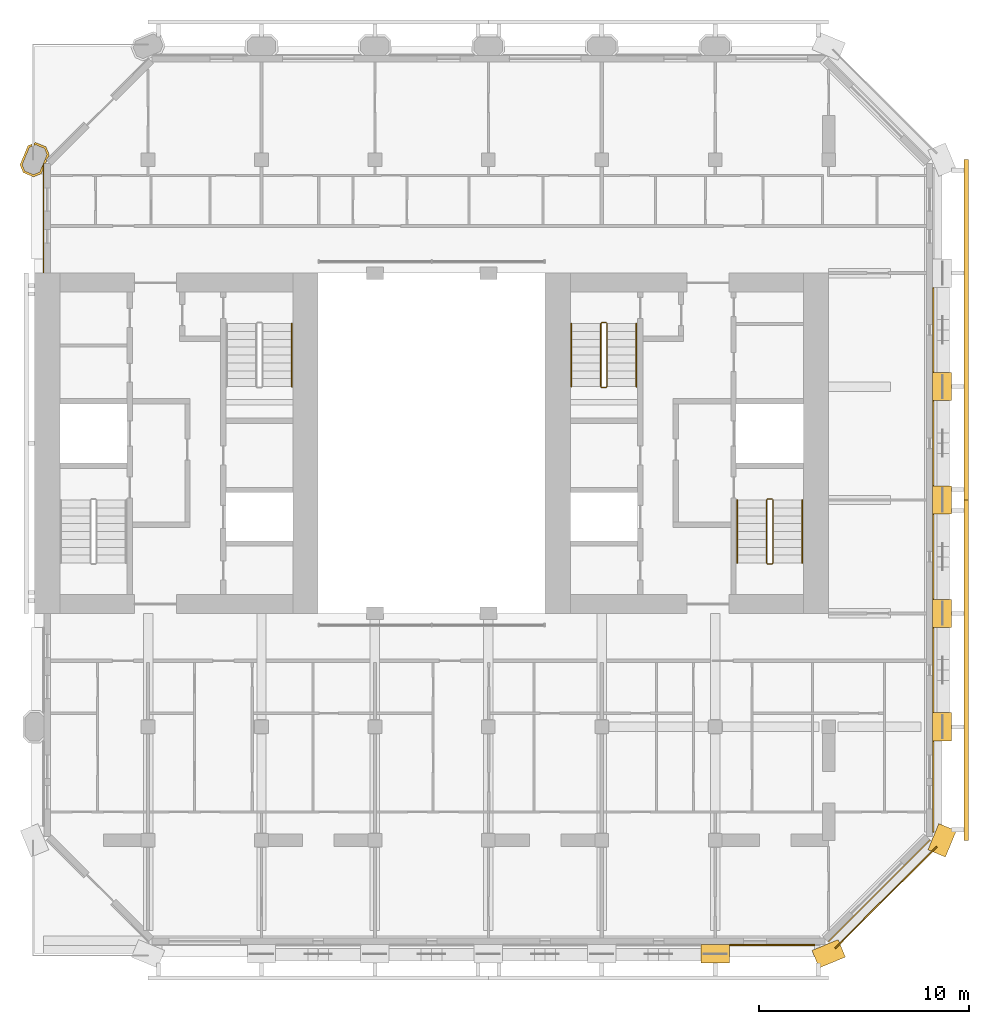
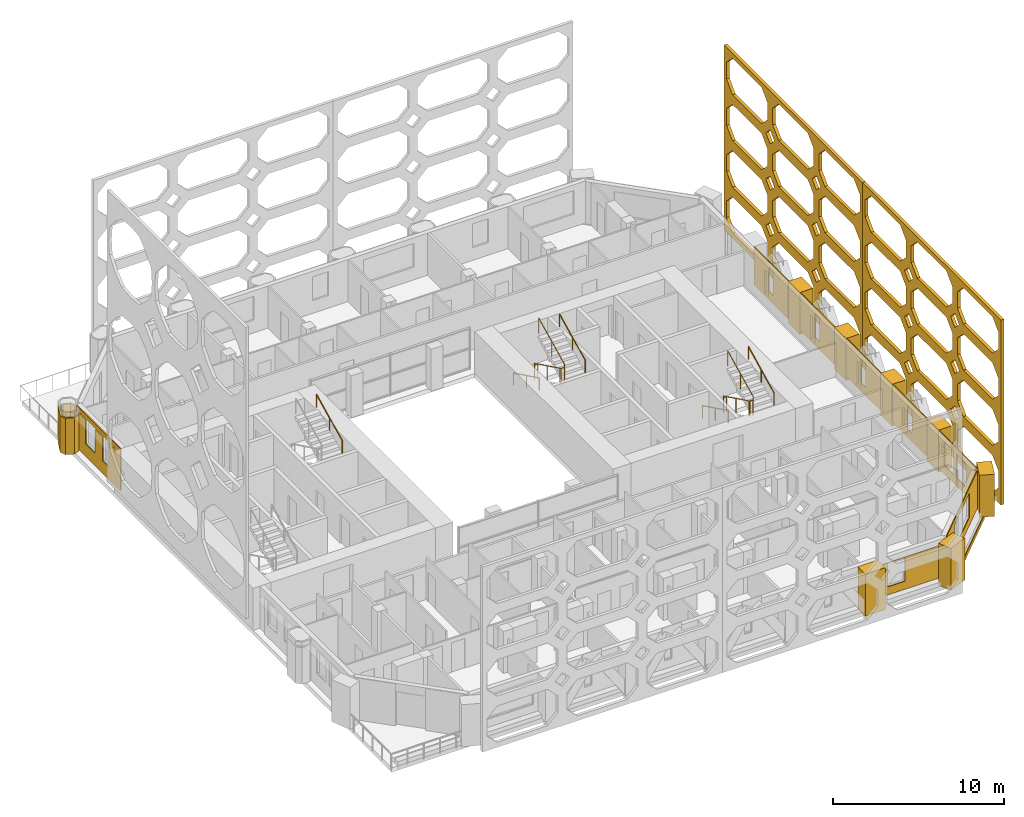
# One storey, part 14 of 15: 19 coverings, 7 railings.
"""IFC4 building model written with IfcOpenShell, lengths in metres."""

from ifc_helpers import new_model, si_unit, direction, frame, frame_2d, origin, origin_2d, place, context, subcontext, project, spatial, polyline, rectangle, circle, outline, extrude, material, layer, layer_set, type_object, element, save


model = new_model("IFC4")

# Units and contexts
model_context = context("Model", 3, precision=1e-05, world=origin(), true_north=direction((0.0, 1.0)))
body_context = subcontext(model_context, "Body", "Model", "MODEL_VIEW")
ifc_project = project(units=[si_unit("LENGTHUNIT", "METRE"), si_unit("AREAUNIT", "SQUARE_METRE"), si_unit("VOLUMEUNIT", "CUBIC_METRE"), si_unit("PLANEANGLEUNIT", "RADIAN"), si_unit("MASSUNIT", "GRAM", prefix="KILO")], contexts=[model_context])

# Site, building, storey
site_placement = place(None, origin())
site = spatial("IfcSite", under=ifc_project, at=site_placement, CompositionType="ELEMENT")
building_placement = place(site_placement, origin())
building = spatial("IfcBuilding", under=site, at=building_placement, Name="Tabaq Tower and Sports Hall", CompositionType="ELEMENT")
storey_placement = place(building_placement, frame((0.0, 0.0, 265.300048828125)))
storey = spatial("IfcBuildingStorey", under=building, at=storey_placement, Name="L64", CompositionType="ELEMENT", Elevation=265.300048828125)

# Coverings
ifc_material_1 = material(Name="Precast concrete C60/75", Category="concrete")
ifc_layer_1 = layer(ifc_material_1, 0.10009765625)
ifc_layer_set_1 = layer_set([ifc_layer_1], Name="Column cladding 100")
covering_type_1 = type_object("IfcCoveringType", Name="Column cladding 100", PredefinedType="CLADDING", material=ifc_layer_set_1)
covering_1_placement = place(storey_placement, origin())
element("IfcCovering", 1, at=covering_1_placement, inside=storey, type_object=covering_type_1, Name="Column cladding L64 PC-2H-R1", PredefinedType="CLADDING", context=body_context, shape_type="SweptSolid", body=[
    extrude(outline(polyline([(4.857421875, 37.186279296875), (4.7041015625, 37.556396484375), (5.080078125, 38.46435546875), (5.27978515625, 38.546875), (5.27978515625, 38.439208984375), (5.15625, 38.38818359375), (4.811767578125, 37.556396484375), (4.93359375, 37.26220703125), (5.349609375, 37.08984375), (5.643798828125, 37.2119140625), (5.98828125, 38.04345703125), (5.866455078125, 38.337646484375), (5.450439453125, 38.510009765625), (5.3603515625, 38.47265625), (5.3603515625, 38.580322265625), (5.450439453125, 38.61767578125), (5.9423828125, 38.413818359375), (6.095947265625, 38.04345703125), (6.026123046875, 37.875), (5.9501953125, 37.799072265625), (5.9501953125, 37.798828125), (5.9814453125, 37.767578125), (5.91796875, 37.614013671875), (5.849609375, 37.614013671875), (5.849609375, 37.55712890625), (5.789794921875, 37.55712890625), (5.789794921875, 37.304443359375), (5.7197265625, 37.1357421875), (5.349609375, 36.982421875), (4.857421875, 37.186279296875)])), origin(), (0.0, 0.0, 1.0), 2.599853515625),
])
ifc_material_2 = material(Name="Precast concrete C60/75", Category="concrete")
ifc_layer_2 = layer(ifc_material_2, 0.06005859375)
ifc_layer_set_2 = layer_set([ifc_layer_2], Name="Edge beam cladding 60")
covering_type_2 = type_object("IfcCoveringType", Name="Edge beam cladding 60", PredefinedType="CLADDING", material=ifc_layer_set_2)
covering_2_placement = place(storey_placement, frame((43.505615234375, 0.26318359375, -0.300048828125), z_axis=(0.0, 0.0, 1.0), x_axis=(0.707106781187, 0.707106781187, 0.0)))
element("IfcCovering", 2, at=covering_2_placement, inside=storey, type_object=covering_type_2, Name="Edge beam cladding L64 3", PredefinedType="CLADDING", context=body_context, shape_type="SweptSolid", body=[
    extrude(rectangle(XDim=6.83251953125, YDim=0.06005859375, at=frame_2d((3.416259765625, 0.0))), origin(), (0.0, 0.0, 1.0), 0.300048828125),
])
ifc_material_3 = material(Name="White precast concrete C60/75", Category="concrete")
covering_type_3 = type_object("IfcCoveringType", Name="Pier cladding hung 1350x900", PredefinedType="CLADDING", material=ifc_material_3)
for number, where, z_axis, x_axis, name in (
    (3, (37.125, 0.0, 0.0), (0.0, 0.0, 1.0), (1.0, 0.0, 0.0), "Hung pier cladding 7/0"),
    (4, (42.576416015625, -0.25830078125, 0.0), (0.0, 0.0, 1.0), (0.923893411637, 0.382649923473, 0.0), "Hung pier cladding 8/0"),
    (5, (48.341796875, 4.7763671875, 0.0), (0.0, 0.0, 1.0), (0.382649923473, 0.923893411637, 0.0), "Hung pier cladding 9/1"),
    (6, (48.60009765625, 10.125, 0.0), (0.0, 0.0, 1.0), (0.0, 1.0, 0.0), "Hung pier cladding 9/2"),
    (7, (48.60009765625, 15.52490234375, 0.0), (0.0, 0.0, 1.0), (0.0, 1.0, 0.0), "Hung pier cladding 9/3"),
):
    element("IfcCovering", number, at=place(storey_placement, frame(where, z_axis=z_axis, x_axis=x_axis)), inside=storey, type_object=covering_type_3, Name=name, PredefinedType="CLADDING", context=body_context, shape_type="SweptSolid", body=[
        extrude(rectangle(XDim=1.35009765625, YDim=0.89990234375, at=frame_2d((0.675048828125, 0.0))), origin(), (0.0, 0.0, 1.0), 3.0),
    ])
covering_3_placement = place(storey_placement, frame((48.60009765625, 20.925048828125, 0.0), z_axis=(0.0, 0.0, 1.0), x_axis=(0.0, 1.0, 0.0)))
element("IfcCovering", 8, at=covering_3_placement, inside=storey, type_object=covering_type_3, Name="Hung pier cladding 9/4", PredefinedType="CLADDING", context=body_context, shape_type="SweptSolid", body=[
    extrude(rectangle(XDim=1.349853515625, YDim=0.89990234375, at=frame_2d((0.6748046875, 0.0))), origin(), (0.0, 0.0, 1.0), 3.0),
])
covering_4_placement = place(storey_placement, frame((48.60009765625, 26.324951171875, 0.0), z_axis=(0.0, 0.0, 1.0), x_axis=(0.0, 1.0, 0.0)))
element("IfcCovering", 9, at=covering_4_placement, inside=storey, type_object=covering_type_3, Name="Hung pier cladding 9/5", PredefinedType="CLADDING", context=body_context, shape_type="SweptSolid", body=[
    extrude(rectangle(XDim=1.35009765625, YDim=0.89990234375, at=frame_2d((0.675048828125, 0.0))), origin(), (0.0, 0.0, 1.0), 3.0),
])

# Railings
ifc_material_4 = material(Name="Stainless steel", Category="steel")
railing_type_1 = type_object("IfcRailingType", Name="Stair guard", PredefinedType="GUARDRAIL", material=ifc_material_4)
railing_1_placement = place(storey_placement, frame((40.5, 21.64990234375, 0.0)))
element("IfcRailing", 10, at=railing_1_placement, inside=storey, type_object=railing_type_1, Name="L64 ST3 stair guard 1", PredefinedType="GUARDRAIL", context=body_context, shape_type="SweptSolid", body=[
    extrude(circle(Radius=0.02392578125, at=origin_2d()), frame((0.0, 0.0, 1.076171875), z_axis=(-1.0, 0.0, 0.0), x_axis=(0.0, -1.0, 0.0)), (0.0, 0.0, 1.0), 0.199951171875),
    extrude(circle(Radius=0.02392578125, at=origin_2d()), frame((-0.199951171875, 0.0, 1.076171875), z_axis=(-0.254733673405, -0.25349107012, 0.933195066962), x_axis=(0.705375805398, -0.708833529934, 0.0)), (0.0, 0.0, 1.0), 0.196533203125),
    extrude(circle(Radius=0.02392578125, at=origin_2d()), frame((-0.25, -0.0498046875, 1.25927734375), z_axis=(0.0, -0.898397823093, 0.439182594671), x_axis=(1.0, 0.0, 0.0)), (0.0, 0.0, 1.0), 3.33935546875),
    extrude(circle(Radius=0.02392578125, at=origin_2d()), frame((-0.25, -3.0498046875, 2.72607421875), z_axis=(0.707106781187, -0.707106781187, 0.0), x_axis=(0.707106781187, 0.707106781187, 0.0)), (0.0, 0.0, 1.0), 0.07080078125),
    extrude(circle(Radius=0.02392578125, at=origin_2d()), frame((-0.199951171875, -3.099853515625, 2.72607421875), z_axis=(1.0, 0.0, 0.0), x_axis=(0.0, 1.0, 0.0)), (0.0, 0.0, 1.0), 0.199951171875),
    extrude(circle(Radius=0.02392578125, at=origin_2d()), frame((0.0, -3.099853515625, 2.72607421875), z_axis=(0.254653276557, 0.254653276557, 0.932900539971), x_axis=(-0.707106781187, 0.707106781187, 0.0)), (0.0, 0.0, 1.0), 0.196533203125),
    extrude(circle(Radius=0.02392578125, at=origin_2d()), frame((0.050048828125, -3.0498046875, 2.9091796875), z_axis=(0.0, 0.898368975038, 0.439241601728), x_axis=(-1.0, 0.0, 0.0)), (0.0, 0.0, 1.0), 3.33935546875),
    extrude(circle(Radius=0.02099609375, at=origin_2d()), origin(), (0.0, 0.0, 1.0), 1.052001953125),
    extrude(circle(Radius=0.02099609375, at=origin_2d()), frame((-0.199951171875, 0.0, 0.0)), (0.0, 0.0, 1.0), 1.052001953125),
    extrude(circle(Radius=0.02099609375, at=origin_2d()), frame((-0.25, -0.0498046875, 0.183349609375)), (0.0, 0.0, 1.0), 1.052001953125),
    extrude(circle(Radius=0.02099609375, at=origin_2d()), frame((-0.25, -1.5498046875, 0.91650390625)), (0.0, 0.0, 1.0), 1.052001953125),
    extrude(circle(Radius=0.02099609375, at=origin_2d()), frame((-0.25, -3.0498046875, 1.64990234375)), (0.0, 0.0, 1.0), 1.052001953125),
    extrude(circle(Radius=0.02099609375, at=origin_2d()), frame((-0.199951171875, -3.099853515625, 1.64990234375)), (0.0, 0.0, 1.0), 1.052001953125),
    extrude(circle(Radius=0.02099609375, at=origin_2d()), frame((0.0, -3.099853515625, 1.64990234375)), (0.0, 0.0, 1.0), 1.052001953125),
    extrude(circle(Radius=0.02099609375, at=origin_2d()), frame((0.050048828125, -3.0498046875, 1.833251953125)), (0.0, 0.0, 1.0), 1.052001953125),
    extrude(circle(Radius=0.02099609375, at=origin_2d()), frame((0.050048828125, -1.5498046875, 2.566650390625)), (0.0, 0.0, 1.0), 1.052001953125),
    extrude(circle(Radius=0.02099609375, at=origin_2d()), frame((0.050048828125, -0.0498046875, 3.300048828125)), (0.0, 0.0, 1.0), 1.052001953125),
])
railing_2_placement = place(storey_placement, frame((32.60009765625, 30.050048828125, 0.0)))
element("IfcRailing", 11, at=railing_2_placement, inside=storey, type_object=railing_type_1, Name="L64 ST4 stair guard 1", PredefinedType="GUARDRAIL", context=body_context, shape_type="SweptSolid", body=[
    extrude(circle(Radius=0.02392578125, at=origin_2d()), frame((0.0, 0.0, 1.076171875), z_axis=(-1.0, 0.0, 0.0), x_axis=(0.0, -1.0, 0.0)), (0.0, 0.0, 1.0), 0.2001953125),
    extrude(circle(Radius=0.02392578125, at=origin_2d()), frame((-0.2001953125, 0.0, 1.076171875), z_axis=(-0.25349107012, -0.254733673405, 0.933195066962), x_axis=(0.708833529934, -0.705375805398, 0.0)), (0.0, 0.0, 1.0), 0.196533203125),
    extrude(circle(Radius=0.02392578125, at=origin_2d()), frame((-0.25, -0.050048828125, 1.25927734375), z_axis=(0.0, -0.898397823093, 0.439182594671), x_axis=(1.0, 0.0, 0.0)), (0.0, 0.0, 1.0), 3.33935546875),
    extrude(circle(Radius=0.02392578125, at=origin_2d()), frame((-0.25, -3.050048828125, 2.72607421875), z_axis=(0.705375805398, -0.708833529934, 0.0), x_axis=(0.708833529934, 0.705375805398, 0.0)), (0.0, 0.0, 1.0), 0.070556640625),
    extrude(circle(Radius=0.02392578125, at=origin_2d()), frame((-0.2001953125, -3.10009765625, 2.72607421875), z_axis=(1.0, 0.0, 0.0), x_axis=(0.0, 1.0, 0.0)), (0.0, 0.0, 1.0), 0.2001953125),
    extrude(circle(Radius=0.02392578125, at=origin_2d()), frame((0.0, -3.10009765625, 2.72607421875), z_axis=(0.25349107012, 0.254733673405, 0.933195066962), x_axis=(-0.708833529934, 0.705375805398, 0.0)), (0.0, 0.0, 1.0), 0.196533203125),
    extrude(circle(Radius=0.02392578125, at=origin_2d()), frame((0.0498046875, -3.050048828125, 2.9091796875), z_axis=(0.0, 0.898368975038, 0.439241601728), x_axis=(-1.0, 0.0, 0.0)), (0.0, 0.0, 1.0), 3.33935546875),
    extrude(circle(Radius=0.02099609375, at=origin_2d()), origin(), (0.0, 0.0, 1.0), 1.052001953125),
    extrude(circle(Radius=0.02099609375, at=origin_2d()), frame((-0.2001953125, 0.0, 0.0)), (0.0, 0.0, 1.0), 1.052001953125),
    extrude(circle(Radius=0.02099609375, at=origin_2d()), frame((-0.25, -0.050048828125, 0.183349609375)), (0.0, 0.0, 1.0), 1.052001953125),
    extrude(circle(Radius=0.02099609375, at=origin_2d()), frame((-0.25, -1.550048828125, 0.91650390625)), (0.0, 0.0, 1.0), 1.052001953125),
    extrude(circle(Radius=0.02099609375, at=origin_2d()), frame((-0.25, -3.050048828125, 1.64990234375)), (0.0, 0.0, 1.0), 1.052001953125),
    extrude(circle(Radius=0.02099609375, at=origin_2d()), frame((-0.2001953125, -3.10009765625, 1.64990234375)), (0.0, 0.0, 1.0), 1.052001953125),
    extrude(circle(Radius=0.02099609375, at=origin_2d()), frame((0.0, -3.10009765625, 1.64990234375)), (0.0, 0.0, 1.0), 1.052001953125),
    extrude(circle(Radius=0.02099609375, at=origin_2d()), frame((0.0498046875, -3.050048828125, 1.833251953125)), (0.0, 0.0, 1.0), 1.052001953125),
    extrude(circle(Radius=0.02099609375, at=origin_2d()), frame((0.0498046875, -1.550048828125, 2.566650390625)), (0.0, 0.0, 1.0), 1.052001953125),
    extrude(circle(Radius=0.02099609375, at=origin_2d()), frame((0.0498046875, -0.050048828125, 3.300048828125)), (0.0, 0.0, 1.0), 1.052001953125),
])
ifc_material_5 = material(Name="Stainless steel", Category="steel")
railing_type_2 = type_object("IfcRailingType", Name="Stair handrail", PredefinedType="HANDRAIL", material=ifc_material_5)
railing_3_placement = place(storey_placement, frame((17.64990234375, 27.0, 1.833251953125)))
element("IfcRailing", 12, at=railing_3_placement, inside=storey, type_object=railing_type_2, Name="L64 ST2 stair handrail 2", PredefinedType="HANDRAIL", context=body_context, shape_type="SweptSolid", body=[
    extrude(circle(Radius=0.02392578125, at=origin_2d()), frame((0.0, 0.0, 0.8759765625), z_axis=(0.0, 0.898368975038, 0.439241601728), x_axis=(-1.0, 0.0, 0.0)), (0.0, 0.0, 1.0), 3.33935546875),
    extrude(circle(Radius=0.02099609375, at=origin_2d()), origin(), (0.0, 0.0, 1.0), 0.851806640625),
    extrude(circle(Radius=0.02099609375, at=origin_2d()), frame((0.0, 1.5, 0.7333984375)), (0.0, 0.0, 1.0), 0.851806640625),
    extrude(circle(Radius=0.02099609375, at=origin_2d()), frame((0.0, 3.0, 1.466796875)), (0.0, 0.0, 1.0), 0.851806640625),
])
railing_4_placement = place(storey_placement, frame((38.85009765625, 21.60009765625, 0.183349609375)))
element("IfcRailing", 13, at=railing_4_placement, inside=storey, type_object=railing_type_2, Name="L64 ST3 stair handrail 1", PredefinedType="HANDRAIL", context=body_context, shape_type="SweptSolid", body=[
    extrude(circle(Radius=0.02392578125, at=origin_2d()), frame((0.0, 0.0, 0.8759765625), z_axis=(0.0, -0.898397823093, 0.439182594671), x_axis=(1.0, 0.0, 0.0)), (0.0, 0.0, 1.0), 3.33935546875),
    extrude(circle(Radius=0.02099609375, at=origin_2d()), origin(), (0.0, 0.0, 1.0), 0.851806640625),
    extrude(circle(Radius=0.02099609375, at=origin_2d()), frame((0.0, -1.5, 0.7333984375)), (0.0, 0.0, 1.0), 0.851806640625),
    extrude(circle(Radius=0.02099609375, at=origin_2d()), frame((0.0, -3.0, 1.466552734375)), (0.0, 0.0, 1.0), 0.851806640625),
])
railing_5_placement = place(storey_placement, frame((41.949951171875, 18.60009765625, 1.833251953125)))
element("IfcRailing", 14, at=railing_5_placement, inside=storey, type_object=railing_type_2, Name="L64 ST3 stair handrail 2", PredefinedType="HANDRAIL", context=body_context, shape_type="SweptSolid", body=[
    extrude(circle(Radius=0.02392578125, at=origin_2d()), frame((0.0, 0.0, 0.8759765625), z_axis=(0.0, 0.898368975038, 0.439241601728), x_axis=(-1.0, 0.0, 0.0)), (0.0, 0.0, 1.0), 3.33935546875),
    extrude(circle(Radius=0.02099609375, at=origin_2d()), origin(), (0.0, 0.0, 1.0), 0.851806640625),
    extrude(circle(Radius=0.02099609375, at=origin_2d()), frame((0.0, 1.5, 0.7333984375)), (0.0, 0.0, 1.0), 0.851806640625),
    extrude(circle(Radius=0.02099609375, at=origin_2d()), frame((0.0, 3.0, 1.466796875)), (0.0, 0.0, 1.0), 0.851806640625),
])
railing_6_placement = place(storey_placement, frame((30.949951171875, 30.0, 0.183349609375)))
element("IfcRailing", 15, at=railing_6_placement, inside=storey, type_object=railing_type_2, Name="L64 ST4 stair handrail 1", PredefinedType="HANDRAIL", context=body_context, shape_type="SweptSolid", body=[
    extrude(circle(Radius=0.02392578125, at=origin_2d()), frame((0.0, 0.0, 0.8759765625), z_axis=(0.0, -0.898397823093, 0.439182594671), x_axis=(1.0, 0.0, 0.0)), (0.0, 0.0, 1.0), 3.33935546875),
    extrude(circle(Radius=0.02099609375, at=origin_2d()), origin(), (0.0, 0.0, 1.0), 0.851806640625),
    extrude(circle(Radius=0.02099609375, at=origin_2d()), frame((0.0, -1.5, 0.7333984375)), (0.0, 0.0, 1.0), 0.851806640625),
    extrude(circle(Radius=0.02099609375, at=origin_2d()), frame((0.0, -3.0, 1.466552734375)), (0.0, 0.0, 1.0), 0.851806640625),
])
railing_7_placement = place(storey_placement, frame((34.050048828125, 27.0, 1.833251953125)))
element("IfcRailing", 16, at=railing_7_placement, inside=storey, type_object=railing_type_2, Name="L64 ST4 stair handrail 2", PredefinedType="HANDRAIL", context=body_context, shape_type="SweptSolid", body=[
    extrude(circle(Radius=0.02392578125, at=origin_2d()), frame((0.0, 0.0, 0.8759765625), z_axis=(0.0, 0.898368975038, 0.439241601728), x_axis=(-1.0, 0.0, 0.0)), (0.0, 0.0, 1.0), 3.33935546875),
    extrude(circle(Radius=0.02099609375, at=origin_2d()), origin(), (0.0, 0.0, 1.0), 0.851806640625),
    extrude(circle(Radius=0.02099609375, at=origin_2d()), frame((0.0, 1.5, 0.7333984375)), (0.0, 0.0, 1.0), 0.851806640625),
    extrude(circle(Radius=0.02099609375, at=origin_2d()), frame((0.0, 3.0, 1.466796875)), (0.0, 0.0, 1.0), 0.851806640625),
])

# Coverings
ifc_material_6 = material(Name="White precast concrete C60/75 pierced screen", Category="concrete")
ifc_layer_3 = layer(ifc_material_6, 0.199951171875)
ifc_layer_set_3 = layer_set([ifc_layer_3], Name="TRACERY SCREEN 200 C60/75")
covering_type_4 = type_object("IfcCoveringType", Name="TRACERY SCREEN 200 C60/75", PredefinedType="CLADDING", material=ifc_layer_set_3)
covering_5_placement = place(storey_placement, frame((49.75, 5.39990234375, 0.0), z_axis=(0.0, 0.0, 1.0), x_axis=(0.0, 1.0, 0.0)))
element("IfcCovering", 17, at=covering_5_placement, inside=storey, type_object=covering_type_4, Name="Tracery screen R1 E L64-L67", PredefinedType="CLADDING", context=body_context, shape_type="SweptSolid", body=[
    extrude(outline(polyline([(0.0, 0.0), (16.2001953125, 0.0), (16.2001953125, 13.199951171875), (0.0, 13.199951171875), (0.0, 0.0)]), holes=[polyline([(1.0, 0.349853515625), (4.39990234375, 0.349853515625), (5.10009765625, 1.050048828125), (5.10009765625, 2.25), (4.39990234375, 2.949951171875), (1.0, 2.949951171875), (0.300048828125, 2.25), (0.300048828125, 1.050048828125), (1.0, 0.349853515625)]), polyline([(6.39990234375, 0.349853515625), (9.800048828125, 0.349853515625), (10.5, 1.050048828125), (10.5, 2.25), (9.800048828125, 2.949951171875), (6.39990234375, 2.949951171875), (5.699951171875, 2.25), (5.699951171875, 1.050048828125), (6.39990234375, 0.349853515625)]), polyline([(11.800048828125, 0.349853515625), (15.199951171875, 0.349853515625), (15.89990234375, 1.050048828125), (15.89990234375, 2.25), (15.199951171875, 2.949951171875), (11.800048828125, 2.949951171875), (11.10009765625, 2.25), (11.10009765625, 1.050048828125), (11.800048828125, 0.349853515625)]), polyline([(1.0, 3.64990234375), (4.39990234375, 3.64990234375), (5.10009765625, 4.349853515625), (5.10009765625, 5.550048828125), (4.39990234375, 6.25), (1.0, 6.25), (0.300048828125, 5.550048828125), (0.300048828125, 4.349853515625), (1.0, 3.64990234375)]), polyline([(6.39990234375, 3.64990234375), (9.800048828125, 3.64990234375), (10.5, 4.349853515625), (10.5, 5.550048828125), (9.800048828125, 6.25), (6.39990234375, 6.25), (5.699951171875, 5.550048828125), (5.699951171875, 4.349853515625), (6.39990234375, 3.64990234375)]), polyline([(11.800048828125, 3.64990234375), (15.199951171875, 3.64990234375), (15.89990234375, 4.349853515625), (15.89990234375, 5.550048828125), (15.199951171875, 6.25), (11.800048828125, 6.25), (11.10009765625, 5.550048828125), (11.10009765625, 4.349853515625), (11.800048828125, 3.64990234375)]), polyline([(1.0, 6.949951171875), (4.39990234375, 6.949951171875), (5.10009765625, 7.64990234375), (5.10009765625, 8.849853515625), (4.39990234375, 9.550048828125), (1.0, 9.550048828125), (0.300048828125, 8.849853515625), (0.300048828125, 7.64990234375), (1.0, 6.949951171875)]), polyline([(6.39990234375, 6.949951171875), (9.800048828125, 6.949951171875), (10.5, 7.64990234375), (10.5, 8.849853515625), (9.800048828125, 9.550048828125), (6.39990234375, 9.550048828125), (5.699951171875, 8.849853515625), (5.699951171875, 7.64990234375), (6.39990234375, 6.949951171875)]), polyline([(11.800048828125, 6.949951171875), (15.199951171875, 6.949951171875), (15.89990234375, 7.64990234375), (15.89990234375, 8.849853515625), (15.199951171875, 9.550048828125), (11.800048828125, 9.550048828125), (11.10009765625, 8.849853515625), (11.10009765625, 7.64990234375), (11.800048828125, 6.949951171875)]), polyline([(1.0, 10.25), (4.39990234375, 10.25), (5.10009765625, 10.949951171875), (5.10009765625, 12.14990234375), (4.39990234375, 12.849853515625), (1.0, 12.849853515625), (0.300048828125, 12.14990234375), (0.300048828125, 10.949951171875), (1.0, 10.25)]), polyline([(6.39990234375, 10.25), (9.800048828125, 10.25), (10.5, 10.949951171875), (10.5, 12.14990234375), (9.800048828125, 12.849853515625), (6.39990234375, 12.849853515625), (5.699951171875, 12.14990234375), (5.699951171875, 10.949951171875), (6.39990234375, 10.25)]), polyline([(11.800048828125, 10.25), (15.199951171875, 10.25), (15.89990234375, 10.949951171875), (15.89990234375, 12.14990234375), (15.199951171875, 12.849853515625), (11.800048828125, 12.849853515625), (11.10009765625, 12.14990234375), (11.10009765625, 10.949951171875), (11.800048828125, 10.25)]), polyline([(5.89990234375, 3.300048828125), (5.39990234375, 3.800048828125), (4.89990234375, 3.300048828125), (5.39990234375, 2.800048828125), (5.89990234375, 3.300048828125)]), polyline([(11.300048828125, 3.300048828125), (10.800048828125, 3.800048828125), (10.300048828125, 3.300048828125), (10.800048828125, 2.800048828125), (11.300048828125, 3.300048828125)]), polyline([(5.89990234375, 6.599853515625), (5.39990234375, 7.099853515625), (4.89990234375, 6.599853515625), (5.39990234375, 6.099853515625), (5.89990234375, 6.599853515625)]), polyline([(11.300048828125, 6.599853515625), (10.800048828125, 7.099853515625), (10.300048828125, 6.599853515625), (10.800048828125, 6.099853515625), (11.300048828125, 6.599853515625)]), polyline([(5.89990234375, 9.89990234375), (5.39990234375, 10.39990234375), (4.89990234375, 9.89990234375), (5.39990234375, 9.39990234375), (5.89990234375, 9.89990234375)]), polyline([(11.300048828125, 9.89990234375), (10.800048828125, 10.39990234375), (10.300048828125, 9.89990234375), (10.800048828125, 9.39990234375), (11.300048828125, 9.89990234375)])]), frame((0.0, 0.10009765625, 0.0), z_axis=(0.0, -1.0, 0.0), x_axis=(1.0, 0.0, 0.0)), (0.0, 0.0, 1.0), 0.199951171875),
])
covering_6_placement = place(storey_placement, frame((49.75, 21.60009765625, 0.0), z_axis=(0.0, 0.0, 1.0), x_axis=(0.0, 1.0, 0.0)))
element("IfcCovering", 18, at=covering_6_placement, inside=storey, type_object=covering_type_4, Name="Tracery screen R1 E L64-L67", PredefinedType="CLADDING", context=body_context, shape_type="SweptSolid", body=[
    extrude(outline(polyline([(0.0, 0.0), (16.199951171875, 0.0), (16.199951171875, 13.199951171875), (0.0, 13.199951171875), (0.0, 0.0)]), holes=[polyline([(1.0, 0.349853515625), (4.39990234375, 0.349853515625), (5.10009765625, 1.050048828125), (5.10009765625, 2.25), (4.39990234375, 2.949951171875), (1.0, 2.949951171875), (0.300048828125, 2.25), (0.300048828125, 1.050048828125), (1.0, 0.349853515625)]), polyline([(6.39990234375, 0.349853515625), (9.800048828125, 0.349853515625), (10.5, 1.050048828125), (10.5, 2.25), (9.800048828125, 2.949951171875), (6.39990234375, 2.949951171875), (5.699951171875, 2.25), (5.699951171875, 1.050048828125), (6.39990234375, 0.349853515625)]), polyline([(11.800048828125, 0.349853515625), (15.199951171875, 0.349853515625), (15.89990234375, 1.050048828125), (15.89990234375, 2.25), (15.199951171875, 2.949951171875), (11.800048828125, 2.949951171875), (11.10009765625, 2.25), (11.10009765625, 1.050048828125), (11.800048828125, 0.349853515625)]), polyline([(1.0, 3.64990234375), (4.39990234375, 3.64990234375), (5.10009765625, 4.349853515625), (5.10009765625, 5.550048828125), (4.39990234375, 6.25), (1.0, 6.25), (0.300048828125, 5.550048828125), (0.300048828125, 4.349853515625), (1.0, 3.64990234375)]), polyline([(6.39990234375, 3.64990234375), (9.800048828125, 3.64990234375), (10.5, 4.349853515625), (10.5, 5.550048828125), (9.800048828125, 6.25), (6.39990234375, 6.25), (5.699951171875, 5.550048828125), (5.699951171875, 4.349853515625), (6.39990234375, 3.64990234375)]), polyline([(11.800048828125, 3.64990234375), (15.199951171875, 3.64990234375), (15.89990234375, 4.349853515625), (15.89990234375, 5.550048828125), (15.199951171875, 6.25), (11.800048828125, 6.25), (11.10009765625, 5.550048828125), (11.10009765625, 4.349853515625), (11.800048828125, 3.64990234375)]), polyline([(1.0, 6.949951171875), (4.39990234375, 6.949951171875), (5.10009765625, 7.64990234375), (5.10009765625, 8.849853515625), (4.39990234375, 9.550048828125), (1.0, 9.550048828125), (0.300048828125, 8.849853515625), (0.300048828125, 7.64990234375), (1.0, 6.949951171875)]), polyline([(6.39990234375, 6.949951171875), (9.800048828125, 6.949951171875), (10.5, 7.64990234375), (10.5, 8.849853515625), (9.800048828125, 9.550048828125), (6.39990234375, 9.550048828125), (5.699951171875, 8.849853515625), (5.699951171875, 7.64990234375), (6.39990234375, 6.949951171875)]), polyline([(11.800048828125, 6.949951171875), (15.199951171875, 6.949951171875), (15.89990234375, 7.64990234375), (15.89990234375, 8.849853515625), (15.199951171875, 9.550048828125), (11.800048828125, 9.550048828125), (11.10009765625, 8.849853515625), (11.10009765625, 7.64990234375), (11.800048828125, 6.949951171875)]), polyline([(1.0, 10.25), (4.39990234375, 10.25), (5.10009765625, 10.949951171875), (5.10009765625, 12.14990234375), (4.39990234375, 12.849853515625), (1.0, 12.849853515625), (0.300048828125, 12.14990234375), (0.300048828125, 10.949951171875), (1.0, 10.25)]), polyline([(6.39990234375, 10.25), (9.800048828125, 10.25), (10.5, 10.949951171875), (10.5, 12.14990234375), (9.800048828125, 12.849853515625), (6.39990234375, 12.849853515625), (5.699951171875, 12.14990234375), (5.699951171875, 10.949951171875), (6.39990234375, 10.25)]), polyline([(11.800048828125, 10.25), (15.199951171875, 10.25), (15.89990234375, 10.949951171875), (15.89990234375, 12.14990234375), (15.199951171875, 12.849853515625), (11.800048828125, 12.849853515625), (11.10009765625, 12.14990234375), (11.10009765625, 10.949951171875), (11.800048828125, 10.25)]), polyline([(5.89990234375, 3.300048828125), (5.39990234375, 3.800048828125), (4.89990234375, 3.300048828125), (5.39990234375, 2.800048828125), (5.89990234375, 3.300048828125)]), polyline([(11.300048828125, 3.300048828125), (10.800048828125, 3.800048828125), (10.300048828125, 3.300048828125), (10.800048828125, 2.800048828125), (11.300048828125, 3.300048828125)]), polyline([(5.89990234375, 6.599853515625), (5.39990234375, 7.099853515625), (4.89990234375, 6.599853515625), (5.39990234375, 6.099853515625), (5.89990234375, 6.599853515625)]), polyline([(11.300048828125, 6.599853515625), (10.800048828125, 7.099853515625), (10.300048828125, 6.599853515625), (10.800048828125, 6.099853515625), (11.300048828125, 6.599853515625)]), polyline([(5.89990234375, 9.89990234375), (5.39990234375, 10.39990234375), (4.89990234375, 9.89990234375), (5.39990234375, 9.39990234375), (5.89990234375, 9.89990234375)]), polyline([(11.300048828125, 9.89990234375), (10.800048828125, 10.39990234375), (10.300048828125, 9.89990234375), (10.800048828125, 9.39990234375), (11.300048828125, 9.89990234375)])]), frame((0.0, 0.10009765625, 0.0), z_axis=(0.0, -1.0, 0.0), x_axis=(1.0, 0.0, 0.0)), (0.0, 0.0, 1.0), 0.199951171875),
])
ifc_material_7 = material(Name="Precast concrete C60/75", Category="concrete")
ifc_layer_4 = layer(ifc_material_7, 0.06005859375)
ifc_layer_set_4 = layer_set([ifc_layer_4], Name="White precast cladding panel 60 C60/75")
covering_type_5 = type_object("IfcCoveringType", Name="White precast cladding panel 60 C60/75", PredefinedType="CLADDING", material=ifc_layer_set_4)
covering_7_placement = place(storey_placement, frame((38.485107421875, 0.419921875, 0.31005859375), z_axis=(0.0, 0.0, 1.0), x_axis=(1.0, 0.0, 0.0)))
element("IfcCovering", 19, at=covering_7_placement, inside=storey, type_object=covering_type_5, Name="White precast cladding panel L64 wall00 6", PredefinedType="CLADDING", context=body_context, shape_type="SweptSolid", body=[
    extrude(outline(polyline([(0.0, 0.0), (4.0498046875, 0.0), (4.0498046875, 2.27978515625), (0.0, 2.27978515625), (0.0, 0.0)]), holes=[polyline([(1.77490234375, 0.579833984375), (0.655029296875, 0.579833984375), (0.655029296875, 2.25), (1.77490234375, 2.25), (1.77490234375, 0.579833984375)])]), frame((0.0, 0.030029296875, 0.0), z_axis=(0.0, -1.0, 0.0), x_axis=(1.0, 0.0, 0.0)), (0.0, 0.0, 1.0), 0.06005859375),
])
covering_8_placement = place(storey_placement, frame((43.18017578125, 0.57421875, 0.31005859375), z_axis=(0.0, 0.0, 1.0), x_axis=(0.70712459446, 0.707088967465, 0.0)))
element("IfcCovering", 20, at=covering_8_placement, inside=storey, type_object=covering_type_5, Name="White precast cladding panel L64 wall01", PredefinedType="CLADDING", context=body_context, shape_type="SweptSolid", body=[
    extrude(outline(polyline([(0.0, 0.0), (6.852783203125, 0.0), (6.852783203125, 2.68994140625), (0.0, 2.68994140625), (0.0, 0.0)]), holes=[polyline([(1.71630859375, 0.579833984375), (1.71630859375, 2.2998046875), (5.13623046875, 2.2998046875), (5.13623046875, 0.579833984375), (1.71630859375, 0.579833984375)])]), frame((0.0, 0.030029296875, 0.0), z_axis=(0.0, -1.0, 0.0), x_axis=(1.0, 0.0, 0.0)), (0.0, 0.0, 1.0), 0.06005859375),
])
covering_9_placement = place(storey_placement, frame((48.179931640625, 5.7919921875, 0.31005859375), z_axis=(0.0, 0.0, 1.0), x_axis=(0.0, 1.0, 0.0)))
element("IfcCovering", 21, at=covering_9_placement, inside=storey, type_object=covering_type_5, Name="White precast cladding panel L64 wall02", PredefinedType="CLADDING", context=body_context, shape_type="SweptSolid", body=[
    extrude(outline(polyline([(0.0, 0.0), (4.322998046875, 0.0), (4.322998046875, 2.68994140625), (0.0, 2.68994140625), (0.0, 0.0)]), holes=[polyline([(1.097900390625, 2.2998046875), (2.218017578125, 2.2998046875), (2.218017578125, 0.579833984375), (1.097900390625, 0.579833984375), (1.097900390625, 2.2998046875)]), polyline([(2.5478515625, 2.2998046875), (3.66796875, 2.2998046875), (3.66796875, 0.579833984375), (2.5478515625, 0.579833984375), (2.5478515625, 2.2998046875)])]), frame((0.0, 0.030029296875, 0.0), z_axis=(0.0, -1.0, 0.0), x_axis=(1.0, 0.0, 0.0)), (0.0, 0.0, 1.0), 0.06005859375),
])
covering_10_placement = place(storey_placement, frame((48.179931640625, 11.485107421875, 0.31005859375), z_axis=(0.0, 0.0, 1.0), x_axis=(0.0, 1.0, 0.0)))
element("IfcCovering", 22, at=covering_10_placement, inside=storey, type_object=covering_type_5, Name="White precast cladding panel L64 wall02 2", PredefinedType="CLADDING", context=body_context, shape_type="SweptSolid", body=[
    extrude(outline(polyline([(0.0, 0.0), (4.02978515625, 0.0), (4.02978515625, 2.68994140625), (0.0, 2.68994140625), (0.0, 0.0)]), holes=[polyline([(1.7548828125, 0.579833984375), (1.7548828125, 2.2998046875), (2.27490234375, 2.2998046875), (2.27490234375, 0.579833984375), (1.7548828125, 0.579833984375)])]), frame((0.0, 0.030029296875, 0.0), z_axis=(0.0, -1.0, 0.0), x_axis=(1.0, 0.0, 0.0)), (0.0, 0.0, 1.0), 0.06005859375),
])
for number, where, z_axis, x_axis, name in (
    (23, (48.179931640625, 16.885009765625, 0.31005859375), (0.0, 0.0, 1.0), (0.0, 1.0, 0.0), "White precast cladding panel L64 wall02 3"),
    (24, (48.179931640625, 22.284912109375, 0.31005859375), (0.0, 0.0, 1.0), (0.0, 1.0, 0.0), "White precast cladding panel L64 wall02 4"),
    (25, (48.179931640625, 27.68505859375, 0.31005859375), (0.0, 0.0, 1.0), (0.0, 1.0, 0.0), "White precast cladding panel L64 wall02 5"),
):
    element("IfcCovering", number, at=place(storey_placement, frame(where, z_axis=z_axis, x_axis=x_axis)), inside=storey, type_object=covering_type_5, Name=name, PredefinedType="CLADDING", context=body_context, shape_type="SweptSolid", body=[
        extrude(outline(polyline([(0.0, 0.0), (4.030029296875, 0.0), (4.030029296875, 2.68994140625), (0.0, 2.68994140625), (0.0, 0.0)]), holes=[polyline([(1.7548828125, 0.579833984375), (1.7548828125, 2.2998046875), (2.27490234375, 2.2998046875), (2.27490234375, 0.579833984375), (1.7548828125, 0.579833984375)])]), frame((0.0, 0.030029296875, 0.0), z_axis=(0.0, -1.0, 0.0), x_axis=(1.0, 0.0, 0.0)), (0.0, 0.0, 1.0), 0.06005859375),
    ])
covering_11_placement = place(storey_placement, frame((5.820068359375, 37.556884765625, 0.0), z_axis=(0.0, 0.0, 1.0), x_axis=(0.0, -1.0, 0.0)))
element("IfcCovering", 26, at=covering_11_placement, inside=storey, type_object=covering_type_5, Name="White precast cladding panel L64 wall06", PredefinedType="CLADDING", context=body_context, shape_type="SweptSolid", body=[
    extrude(outline(polyline([(0.0, 0.0), (5.156982421875, 0.0), (5.156982421875, 3.0), (0.0, 3.0), (0.0, 0.0)]), holes=[polyline([(1.096923828125, 2.58984375), (0.421875, 2.58984375), (0.421875, 2.7099609375), (4.491943359375, 2.7099609375), (4.491943359375, 2.58984375), (3.741943359375, 2.58984375), (3.741943359375, 0.889892578125), (3.07177734375, 0.889892578125), (3.07177734375, 2.58984375), (2.216796875, 2.58984375), (2.216796875, 0.889892578125), (1.096923828125, 0.889892578125), (1.096923828125, 2.58984375)])]), frame((0.0, 0.030029296875, 0.0), z_axis=(0.0, -1.0, 0.0), x_axis=(1.0, 0.0, 0.0)), (0.0, 0.0, 1.0), 0.06005859375),
])

save(model, "model.ifc")
